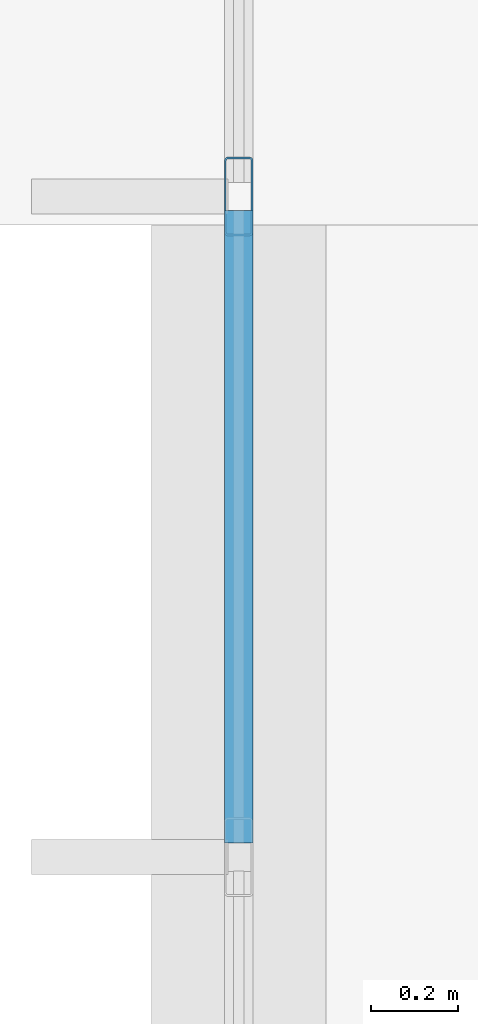
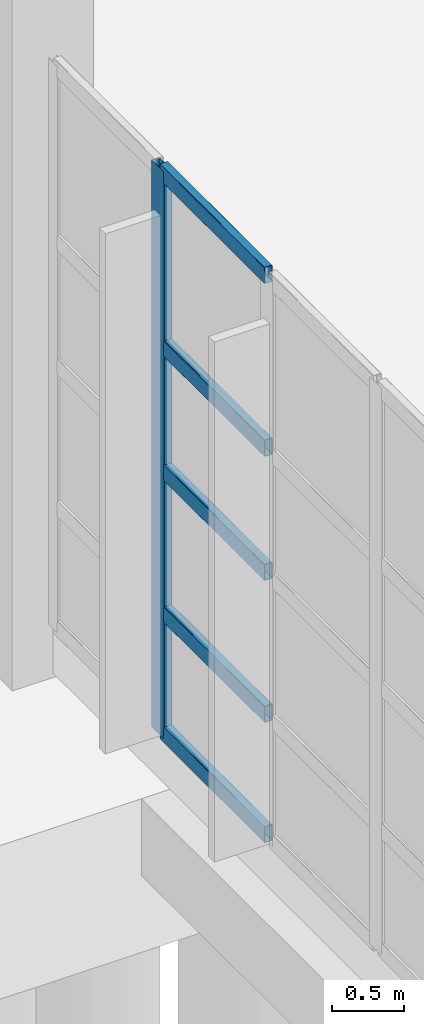
# One storey, part 21 of 83: 6 members, 1 element without a shape of its own.
"""IFC4 building model written with IfcOpenShell, lengths in metres."""

import ifcopenshell
import ifcopenshell.guid

model = None  # the IFC model being written
_history = None  # IfcOwnerHistory: only IFC2X3 demands one
_inside = {}  # id of a spatial element -> (the spatial element, [elements in it])
_under = {}  # id of a project, library or spatial element -> (it, [spatial elements below it])
_declared = {}  # id of a project -> (the project, [libraries it declares])
_typed = {}  # id of a type object -> (the type object, [elements of that type])
_made_of = {}  # id of a material, layer set ... -> (it, [elements and type objects made of it])


def new_model(schema):
    """Start an empty IFC model of exactly this schema.

    Asked for "IFC4X3", IfcOpenShell would pick the latest addendum, in which some entities
    have other attributes; the version numbers below select the first issue.
    IFC2X3 requires an IfcOwnerHistory on every rooted entity: one is made here for all.
    """
    global model, _history
    if schema == "IFC4X3":
        model = ifcopenshell.file(schema_version=(4, 3, 0, 0))
    else:
        model = ifcopenshell.file(schema=schema)
    _inside.clear()
    _under.clear()
    _declared.clear()
    _typed.clear()
    _made_of.clear()
    _history = None
    if model.schema == "IFC2X3":
        org = make("IfcOrganization", Name="unknown")
        user = make(
            "IfcPersonAndOrganization",
            ThePerson=make("IfcPerson", FamilyName="unknown"),
            TheOrganization=org,
        )
        app = make(
            "IfcApplication",
            ApplicationDeveloper=org,
            Version="unknown",
            ApplicationFullName="unknown",
            ApplicationIdentifier="unknown",
        )
        _history = make(
            "IfcOwnerHistory",
            OwningUser=user,
            OwningApplication=app,
            ChangeAction="ADDED",
            CreationDate=0,
        )
    return model


def make(cls, **values):
    """One entity of the class cls with the attributes given. An attribute that is None is left unset."""
    return model.create_entity(
        cls, **{name: value for name, value in values.items() if value is not None}
    )


def rooted(cls, **values):
    """An entity with a GlobalId (a new one), such as an element, a storey or a relation."""
    return make(cls, GlobalId=ifcopenshell.guid.new(), OwnerHistory=_history, **values)


def si_unit(unit_type, name, prefix=None):
    """IfcSIUnit, for example si_unit("LENGTHUNIT", "METRE", prefix="MILLI")."""
    return make("IfcSIUnit", UnitType=unit_type, Prefix=prefix, Name=name)


def assignment(units):
    """IfcUnitAssignment: the units of a project."""
    return None if units is None else make("IfcUnitAssignment", Units=units)


def point(xyz):
    """IfcCartesianPoint."""
    return None if xyz is None else make("IfcCartesianPoint", Coordinates=xyz)


def direction(xyz):
    """IfcDirection."""
    return None if xyz is None else make("IfcDirection", DirectionRatios=xyz)


def frame(location, z_axis=None, x_axis=None):
    """IfcAxis2Placement3D, a coordinate frame: its origin and axes. An axis left out is left unset."""
    return make(
        "IfcAxis2Placement3D",
        Location=point(location),
        Axis=direction(z_axis),
        RefDirection=direction(x_axis),
    )


def frame_2d(location, x_axis=None):
    """IfcAxis2Placement2D, a coordinate frame in the plane: its origin and x axis."""
    return make(
        "IfcAxis2Placement2D", Location=point(location), RefDirection=direction(x_axis)
    )


def origin():
    """The frame at (0, 0, 0) with its axes left unset."""
    return frame((0.0, 0.0, 0.0))


def origin_2d():
    """The frame at (0, 0) in the plane with its x axis left unset."""
    return frame_2d((0.0, 0.0))


def place(relative_to, where):
    """IfcLocalPlacement: puts the frame where relative to a parent placement (None: the world)."""
    return make(
        "IfcLocalPlacement", PlacementRelTo=relative_to, RelativePlacement=where
    )


def context(
    kind, dimensions, precision=None, world=None, true_north=None, identifier=None
):
    """IfcGeometricRepresentationContext, for example the 3D "Model" context."""
    return make(
        "IfcGeometricRepresentationContext",
        ContextIdentifier=identifier,
        ContextType=kind,
        CoordinateSpaceDimension=dimensions,
        Precision=precision,
        WorldCoordinateSystem=world,
        TrueNorth=true_north,
    )


def subcontext(parent, identifier, kind, view, scale=None):
    """IfcGeometricRepresentationSubContext, for example "Body" below "Model"."""
    return make(
        "IfcGeometricRepresentationSubContext",
        ContextIdentifier=identifier,
        ContextType=kind,
        ParentContext=parent,
        TargetScale=scale,
        TargetView=view,
    )


def project(units=None, contexts=None):
    """IfcProject with its units and contexts."""
    return rooted(
        "IfcProject",
        Name="project",
        RepresentationContexts=contexts,
        UnitsInContext=assignment(units),
    )


def spatial(cls, under=None, at=None, **own):
    """A site, building, storey or space (cls), placed at a placement, below another one or the project."""
    s = rooted(cls, ObjectPlacement=at, **own)
    if under is not None:
        _under.setdefault(under.id(), (under, []))[1].append(s)
    return s


def profile(cls, at=None, kind="AREA", **sizes):
    """A parametric profile (cls). Its sizes go by their IFC names, for example OverallWidth=200.0."""
    return make(cls, ProfileType=kind, Position=at, **sizes)


def hollow_rectangle(**sizes):
    """IfcRectangleHollowProfileDef."""
    return profile("IfcRectangleHollowProfileDef", **sizes)


def extrude(swept, where, along, depth):
    """IfcExtrudedAreaSolid: the profile swept, set in the frame where, extruded along a direction by depth."""
    return make(
        "IfcExtrudedAreaSolid",
        SweptArea=swept,
        Position=where,
        ExtrudedDirection=direction(along),
        Depth=depth,
    )


def shape(context_of_items, identifier, shape_type, items):
    """IfcShapeRepresentation: the items that make up one representation, for example the "Body"."""
    return make(
        "IfcShapeRepresentation",
        ContextOfItems=context_of_items,
        RepresentationIdentifier=identifier,
        RepresentationType=shape_type,
        Items=items,
    )


def material(Name=None, Category=None):
    """IfcMaterial."""
    return make("IfcMaterial", Name=Name, Category=Category)


def layer(
    of_material, thickness, ventilated=None, Name=None, Category=None, Priority=None
):
    """IfcMaterialLayer: one layer of a wall or slab, of a material (None: an air gap)."""
    return make(
        "IfcMaterialLayer",
        Material=of_material,
        LayerThickness=thickness,
        IsVentilated=ventilated,
        Name=Name,
        Category=Category,
        Priority=Priority,
    )


def layer_set(layers, Name=None):
    """IfcMaterialLayerSet."""
    return make("IfcMaterialLayerSet", MaterialLayers=layers, LayerSetName=Name)


def material_profile(
    of_material, cross_section, Name=None, Category=None, Priority=None
):
    """IfcMaterialProfile: a cross section and its material."""
    return make(
        "IfcMaterialProfile",
        Name=Name,
        Material=of_material,
        Profile=cross_section,
        Priority=Priority,
        Category=Category,
    )


def profile_set(profiles, Name=None, composite=None):
    """IfcMaterialProfileSet."""
    return make(
        "IfcMaterialProfileSet",
        Name=Name,
        MaterialProfiles=profiles,
        CompositeProfile=composite,
    )


def made_of(thing, what):
    """Note that an element or type object is made of a material, layer set ...; save() writes the relation."""
    if what is not None:
        _made_of.setdefault(what.id(), (what, []))[1].append(thing)
    return thing


def type_object(cls, material=None, **own):
    """A type object (cls), such as IfcWallType, which elements share."""
    return made_of(rooted(cls, **own), material)


def element(
    cls,
    number,
    at=None,
    inside=None,
    cuts=None,
    type_object=None,
    material=None,
    context=None,
    identifier="Body",
    shape_type=None,
    held_by="IfcProductDefinitionShape",
    body=None,
    shapes=None,
    **own,
):
    """One element of the class cls, such as IfcWall. Its Tag is "e" and its number.

    at: its placement. inside: the storey or other place that contains it. cuts: it is an
    opening in that element (IfcRelVoidsElement). A single representation is given by context,
    identifier, shape_type and body (its items); several are given by shapes. held_by: the class
    of the entity that holds the representations. save() writes the other relations.
    """
    e = rooted(cls, Tag="e%d" % number, ObjectPlacement=at, **own)
    if body is not None:
        shapes = [shape(context, identifier, shape_type, body)]
    if shapes is not None:
        e.Representation = make(held_by, Representations=shapes)
    if inside is not None:
        _inside.setdefault(inside.id(), (inside, []))[1].append(e)
    if cuts is not None:
        rooted(
            "IfcRelVoidsElement", RelatingBuildingElement=cuts, RelatedOpeningElement=e
        )
    if type_object is not None:
        _typed.setdefault(type_object.id(), (type_object, []))[1].append(e)
    return made_of(e, material)


def aggregate(whole, parts):
    """IfcRelAggregates: a whole, such as a stair, and the parts it consists of."""
    return rooted("IfcRelAggregates", RelatingObject=whole, RelatedObjects=parts)


def save(model, path):
    """Write the relations noted so far, then the file.

    IfcRelAggregates (storeys below a building ...), IfcRelContainedInSpatialStructure (elements
    in a storey), IfcRelDefinesByType, IfcRelAssociatesMaterial and IfcRelDeclares: one each for
    every whole, place, type object, material and project.
    """
    for whole, parts in _under.values():
        aggregate(whole, parts)
    for where, things in _inside.values():
        rooted(
            "IfcRelContainedInSpatialStructure",
            RelatedElements=things,
            RelatingStructure=where,
        )
    for kind, things in _typed.values():
        rooted("IfcRelDefinesByType", RelatedObjects=things, RelatingType=kind)
    for what, things in _made_of.values():
        rooted("IfcRelAssociatesMaterial", RelatedObjects=things, RelatingMaterial=what)
    for by, libraries in _declared.values():
        rooted("IfcRelDeclares", RelatingContext=by, RelatedDefinitions=libraries)
    model.write(path)


model = new_model("IFC4")

# Units and contexts
model_context = context("Model", 3, precision=1e-05, world=origin(), true_north=direction((0.0, 1.0)))
body_context = subcontext(model_context, "Body", "Model", "MODEL_VIEW")
ifc_project = project(units=[si_unit("LENGTHUNIT", "METRE"), si_unit("AREAUNIT", "SQUARE_METRE"), si_unit("VOLUMEUNIT", "CUBIC_METRE"), si_unit("PLANEANGLEUNIT", "RADIAN"), si_unit("MASSUNIT", "GRAM", prefix="KILO"), si_unit("THERMODYNAMICTEMPERATUREUNIT", "KELVIN"), si_unit("POWERUNIT", "WATT")], contexts=[model_context])

# Site, building, storey
site_placement = place(None, origin())
site = spatial("IfcSite", under=ifc_project, at=site_placement, CompositionType="ELEMENT")
building_placement = place(site_placement, origin())
building = spatial("IfcBuilding", under=site, at=building_placement, Name="Mavoryth Pier Ferry Terminal", CompositionType="ELEMENT")
storey_placement = place(building_placement, origin())
storey = spatial("IfcBuildingStorey", under=building, at=storey_placement, Name="L00", CompositionType="ELEMENT", Elevation=0.0)

# Curtain wall, members
ifc_material_1 = material(Name="Anodised Aluminium and Solar-Control Low-E Glass", Category="aluminium")
ifc_layer = layer(ifc_material_1, 0.179931640625, Name="Anodised Aluminium and Solar-Control Low-E Glass", Category="aluminium")
ifc_layer_set = layer_set([ifc_layer], Name="Anodised Aluminium and Solar-Control Low-E Glass - CW-Concourse-Mod1400")
curtain_wall_type = type_object("IfcCurtainWallType", Name="CW-Concourse-Mod1400", PredefinedType="USERDEFINED", material=ifc_layer_set)
curtain_wall_placement = place(storey_placement, origin())
curtain_wall = element("IfcCurtainWall", 1, at=curtain_wall_placement, inside=storey, type_object=curtain_wall_type, Name="Curtain Wall CW-0033-009", ObjectType="UNITISED CURTAIN WALL", PredefinedType="USERDEFINED")
ifc_material_2 = material(Name="Anodised Aluminium EN AW-6063", Category="aluminium")
ifc_material_profile_1 = material_profile(ifc_material_2, hollow_rectangle(XDim=0.06494140625, YDim=0.179931640625, WallThickness=0.00390625, InnerFilletRadius=0.00390625, OuterFilletRadius=0.008056640625, at=origin_2d()), Name="AL-MULL 180x65x4", Category="aluminium")
ifc_profile_set_1 = profile_set([ifc_material_profile_1], Name="Anodised Aluminium EN AW-6063 - AL-MULL 180x65x4")
member_type_1 = type_object("IfcMemberType", Name="Mullion-Alum-180x65", PredefinedType="MULLION", material=ifc_profile_set_1)
member_1_placement = place(storey_placement, frame((0.0, 62.06494140625, 0.0), z_axis=(0.0, 0.0, 1.0), x_axis=(1.0, 0.0, 0.0)))
member_1 = element("IfcMember", 2, at=member_1_placement, type_object=member_type_1, Name="CW01 mullion 2", PredefinedType="MULLION", context=body_context, shape_type="SweptSolid", body=[
    extrude(hollow_rectangle(XDim=0.06494140625, YDim=0.179931640625, WallThickness=0.00390625, InnerFilletRadius=0.00390625, OuterFilletRadius=0.008056640625, at=origin_2d()), origin(), (0.0, 0.0, 1.0), 4.794921875),
])
ifc_material_profile_2 = material_profile(ifc_material_2, hollow_rectangle(XDim=0.06494140625, YDim=0.139892578125, WallThickness=0.00390625, InnerFilletRadius=0.00390625, OuterFilletRadius=0.008056640625, at=origin_2d()), Name="AL-TRAN 140x65x4", Category="aluminium")
ifc_profile_set_2 = profile_set([ifc_material_profile_2], Name="Anodised Aluminium EN AW-6063 - AL-TRAN 140x65x4")
member_type_2 = type_object("IfcMemberType", Name="Transom-Alum-140x65", PredefinedType="USERDEFINED", material=ifc_profile_set_2)
member_2_placement = place(storey_placement, frame((0.0, 62.032470703125, 0.032470703125), z_axis=(0.0, -1.0, 0.0), x_axis=(1.0, 0.0, 0.0)))
member_2 = element("IfcMember", 3, at=member_2_placement, type_object=member_type_2, Name="CW01 transom 2.1", ObjectType="TRANSOM", PredefinedType="USERDEFINED", context=body_context, shape_type="SweptSolid", body=[
    extrude(hollow_rectangle(XDim=0.06494140625, YDim=0.139892578125, WallThickness=0.00390625, InnerFilletRadius=0.00390625, OuterFilletRadius=0.008056640625, at=origin_2d()), origin(), (0.0, 0.0, 1.0), 1.445068359375),
])
member_3_placement = place(storey_placement, frame((0.0, 62.032470703125, 1.050048828125), z_axis=(0.0, -1.0, 0.0), x_axis=(1.0, 0.0, 0.0)))
member_3 = element("IfcMember", 4, at=member_3_placement, type_object=member_type_2, Name="CW01 transom 2.2", ObjectType="TRANSOM", PredefinedType="USERDEFINED", context=body_context, shape_type="SweptSolid", body=[
    extrude(hollow_rectangle(XDim=0.06494140625, YDim=0.139892578125, WallThickness=0.00390625, InnerFilletRadius=0.00390625, OuterFilletRadius=0.008056640625, at=origin_2d()), origin(), (0.0, 0.0, 1.0), 1.445068359375),
])
member_4_placement = place(storey_placement, frame((0.0, 62.032470703125, 2.25), z_axis=(0.0, -1.0, 0.0), x_axis=(1.0, 0.0, 0.0)))
member_4 = element("IfcMember", 5, at=member_4_placement, type_object=member_type_2, Name="CW01 transom 2.3", ObjectType="TRANSOM", PredefinedType="USERDEFINED", context=body_context, shape_type="SweptSolid", body=[
    extrude(hollow_rectangle(XDim=0.06494140625, YDim=0.139892578125, WallThickness=0.00390625, InnerFilletRadius=0.00390625, OuterFilletRadius=0.008056640625, at=origin_2d()), origin(), (0.0, 0.0, 1.0), 1.445068359375),
])
member_5_placement = place(storey_placement, frame((0.0, 62.032470703125, 3.300048828125), z_axis=(0.0, -1.0, 0.0), x_axis=(1.0, 0.0, 0.0)))
member_5 = element("IfcMember", 6, at=member_5_placement, type_object=member_type_2, Name="CW01 transom 2.4", ObjectType="TRANSOM", PredefinedType="USERDEFINED", context=body_context, shape_type="SweptSolid", body=[
    extrude(hollow_rectangle(XDim=0.06494140625, YDim=0.139892578125, WallThickness=0.00390625, InnerFilletRadius=0.00390625, OuterFilletRadius=0.008056640625, at=origin_2d()), origin(), (0.0, 0.0, 1.0), 1.445068359375),
])
member_6_placement = place(storey_placement, frame((0.0, 62.032470703125, 4.762451171875), z_axis=(0.0, -1.0, 0.0), x_axis=(1.0, 0.0, 0.0)))
member_6 = element("IfcMember", 7, at=member_6_placement, type_object=member_type_2, Name="CW01 transom 2.5", ObjectType="TRANSOM", PredefinedType="USERDEFINED", context=body_context, shape_type="SweptSolid", body=[
    extrude(hollow_rectangle(XDim=0.06494140625, YDim=0.139892578125, WallThickness=0.00390625, InnerFilletRadius=0.00390625, OuterFilletRadius=0.008056640625, at=origin_2d()), origin(), (0.0, 0.0, 1.0), 1.445068359375),
])
aggregate(curtain_wall, [member_1, member_2, member_3, member_4, member_5, member_6])

save(model, "model.ifc")
